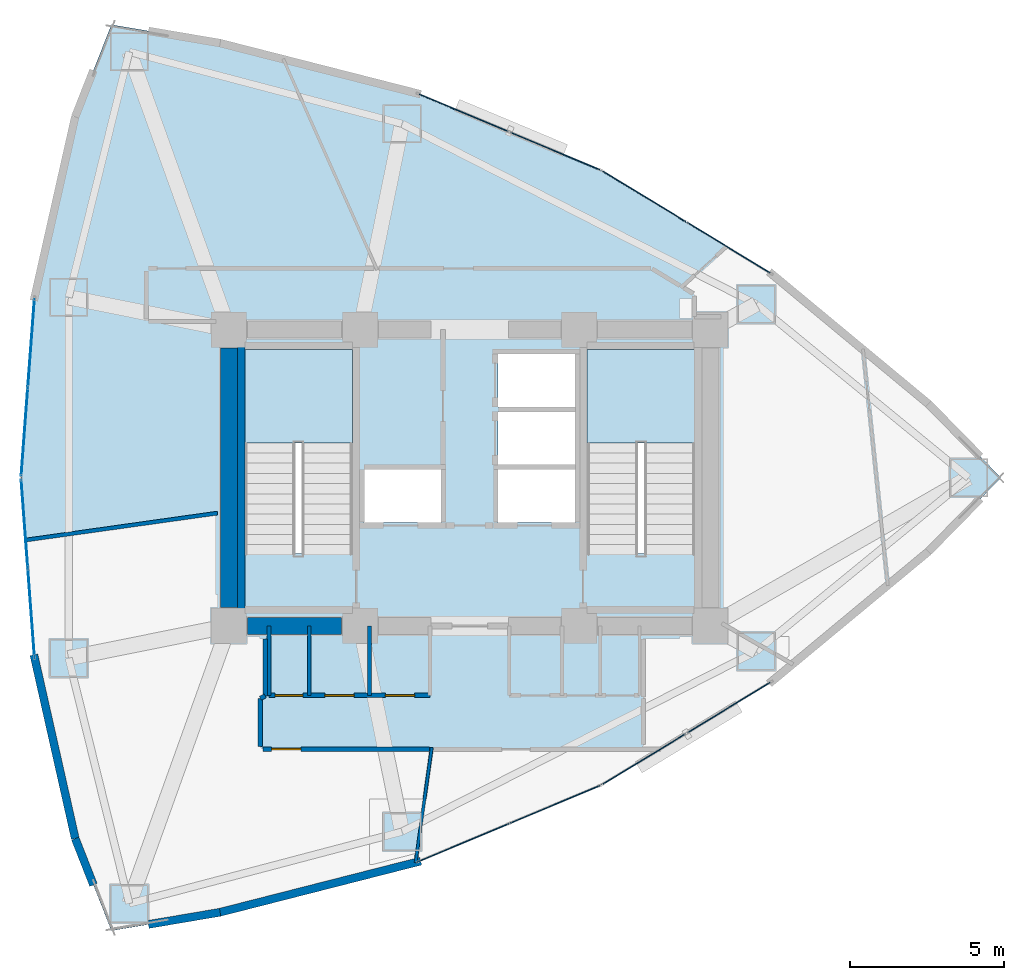
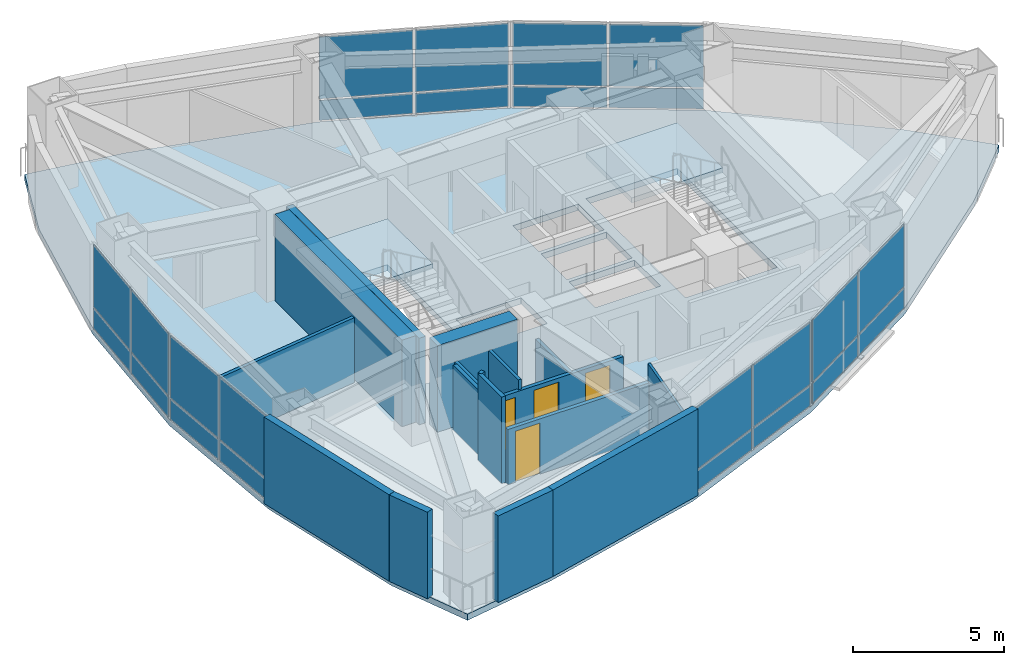
# One storey, part 13 of 17: 24 plates, 17 walls, 4 doors, 3 slabs, 4 openings, 8 elements without a shape of their own.
"""IFC4 building model written with IfcOpenShell, lengths in metres."""

from ifc_helpers import new_model, si_unit, direction, frame, frame_2d, origin, origin_2d, place, context, subcontext, project, spatial, polyline, rectangle, outline, extrude, material, layer, layer_set, type_object, element, fill, aggregate, save


model = new_model("IFC4")

# Units and contexts
model_context = context("Model", 3, precision=1e-05, world=origin(), true_north=direction((0.0, 1.0)))
body_context = subcontext(model_context, "Body", "Model", "MODEL_VIEW")
ifc_project = project(units=[si_unit("LENGTHUNIT", "METRE"), si_unit("AREAUNIT", "SQUARE_METRE"), si_unit("VOLUMEUNIT", "CUBIC_METRE"), si_unit("PLANEANGLEUNIT", "RADIAN"), si_unit("MASSUNIT", "GRAM", prefix="KILO")], contexts=[model_context])

# Site, building, storey
site_placement = place(None, origin())
site = spatial("IfcSite", under=ifc_project, at=site_placement, CompositionType="ELEMENT")
building_placement = place(site_placement, origin())
building = spatial("IfcBuilding", under=site, at=building_placement, Name="Menara Vayukalpa", CompositionType="ELEMENT")
storey_placement = place(building_placement, frame((0.0, 0.0, 133.739990234375)))
storey = spatial("IfcBuildingStorey", under=building, at=storey_placement, Name="L33", CompositionType="ELEMENT", Elevation=133.739990234375)

# Curtain wall, plates
ifc_material_1 = material(Name="Anodised Terracotta Aluminium Alloy 6063-T6", Category="masonry")
ifc_layer_1 = layer(ifc_material_1, 0.14990234375)
ifc_layer_set_1 = layer_set([ifc_layer_1], Name="Anodised Terracotta Aluminium Alloy 6063-T6")
curtain_wall_type = type_object("IfcCurtainWallType", Name="CW-CW3", PredefinedType="USERDEFINED", material=ifc_layer_set_1)
curtain_wall_1_placement = place(storey_placement, origin())
curtain_wall_1 = element("IfcCurtainWall", 1, at=curtain_wall_1_placement, inside=storey, type_object=curtain_wall_type, Name="L33 Mid Rise Terracotta Ribbon Curtain Wall CW3 04", ObjectType="UNITISED", PredefinedType="USERDEFINED")
ifc_material_2 = material(Name="Low-E Double Glazing", Category="glass")
ifc_layer_2 = layer(ifc_material_2, 0.030029296875)
ifc_layer_set_2 = layer_set([ifc_layer_2], Name="Low-E Double Glazing")
plate_type = type_object("IfcPlateType", Name="CWP-CW3", PredefinedType="CURTAIN_PANEL", material=ifc_layer_set_2)
plate_1_placement = place(storey_placement, frame((33.9921875, 29.44873046875, 0.06494140625), z_axis=(0.0, 0.0, 1.0), x_axis=(-0.854663123674, 0.519182959112, 0.0)))
plate_1 = element("IfcPlate", 2, at=plate_1_placement, type_object=plate_type, Name="CW3 panel 1.1", PredefinedType="CURTAIN_PANEL", context=body_context, shape_type="SweptSolid", body=[
    extrude(rectangle(XDim=3.1318359375, YDim=0.030029296875, at=origin_2d()), origin(), (0.0, 0.0, 1.0), 0.802490234375),
])
plate_2_placement = place(storey_placement, frame((33.9921875, 29.44873046875, 0.9326171875), z_axis=(0.0, 0.0, 1.0), x_axis=(-0.854663123674, 0.519182959112, 0.0)))
plate_2 = element("IfcPlate", 3, at=plate_2_placement, type_object=plate_type, Name="CW3 panel 1.2", PredefinedType="CURTAIN_PANEL", context=body_context, shape_type="SweptSolid", body=[
    extrude(rectangle(XDim=3.1318359375, YDim=0.030029296875, at=origin_2d()), origin(), (0.0, 0.0, 1.0), 2.50244140625),
])
plate_3_placement = place(storey_placement, frame((31.259765625, 31.1083984375, 0.06494140625), z_axis=(0.0, 0.0, 1.0), x_axis=(-0.854663123674, 0.519182959112, 0.0)))
plate_3 = element("IfcPlate", 4, at=plate_3_placement, type_object=plate_type, Name="CW3 panel 2.1", PredefinedType="CURTAIN_PANEL", context=body_context, shape_type="SweptSolid", body=[
    extrude(rectangle(XDim=3.1318359375, YDim=0.030029296875, at=origin_2d()), origin(), (0.0, 0.0, 1.0), 0.802490234375),
])
plate_4_placement = place(storey_placement, frame((31.259765625, 31.1083984375, 0.9326171875), z_axis=(0.0, 0.0, 1.0), x_axis=(-0.854663123674, 0.519182959112, 0.0)))
plate_4 = element("IfcPlate", 5, at=plate_4_placement, type_object=plate_type, Name="CW3 panel 2.2", PredefinedType="CURTAIN_PANEL", context=body_context, shape_type="SweptSolid", body=[
    extrude(rectangle(XDim=3.1318359375, YDim=0.030029296875, at=origin_2d()), origin(), (0.0, 0.0, 1.0), 2.50244140625),
])
aggregate(curtain_wall_1, [plate_1, plate_2, plate_3, plate_4])

curtain_wall_2_placement = place(storey_placement, origin())
curtain_wall_2 = element("IfcCurtainWall", 6, at=curtain_wall_2_placement, inside=storey, type_object=curtain_wall_type, Name="L33 Mid Rise Terracotta Ribbon Curtain Wall CW3 05", ObjectType="UNITISED", PredefinedType="USERDEFINED")
plate_5_placement = place(storey_placement, frame((28.361328125, 32.58447265625, 0.06494140625), z_axis=(0.0, 0.0, 1.0), x_axis=(-0.922543300632, 0.38589358437, 0.0)))
plate_5 = element("IfcPlate", 7, at=plate_5_placement, type_object=plate_type, Name="CW3 panel 1.1", PredefinedType="CURTAIN_PANEL", context=body_context, shape_type="SweptSolid", body=[
    extrude(rectangle(XDim=3.1318359375, YDim=0.030029296875, at=origin_2d()), origin(), (0.0, 0.0, 1.0), 0.802490234375),
])
plate_6_placement = place(storey_placement, frame((28.361328125, 32.58447265625, 0.9326171875), z_axis=(0.0, 0.0, 1.0), x_axis=(-0.922543300632, 0.38589358437, 0.0)))
plate_6 = element("IfcPlate", 8, at=plate_6_placement, type_object=plate_type, Name="CW3 panel 1.2", PredefinedType="CURTAIN_PANEL", context=body_context, shape_type="SweptSolid", body=[
    extrude(rectangle(XDim=3.1318359375, YDim=0.030029296875, at=origin_2d()), origin(), (0.0, 0.0, 1.0), 2.50244140625),
])
plate_7_placement = place(storey_placement, frame((25.412109375, 33.818115234375, 0.06494140625), z_axis=(0.0, 0.0, 1.0), x_axis=(-0.922543300632, 0.38589358437, 0.0)))
plate_7 = element("IfcPlate", 9, at=plate_7_placement, type_object=plate_type, Name="CW3 panel 2.1", PredefinedType="CURTAIN_PANEL", context=body_context, shape_type="SweptSolid", body=[
    extrude(rectangle(XDim=3.1318359375, YDim=0.030029296875, at=origin_2d()), origin(), (0.0, 0.0, 1.0), 0.802490234375),
])
plate_8_placement = place(storey_placement, frame((25.412109375, 33.818115234375, 0.9326171875), z_axis=(0.0, 0.0, 1.0), x_axis=(-0.922543300632, 0.38589358437, 0.0)))
plate_8 = element("IfcPlate", 10, at=plate_8_placement, type_object=plate_type, Name="CW3 panel 2.2", PredefinedType="CURTAIN_PANEL", context=body_context, shape_type="SweptSolid", body=[
    extrude(rectangle(XDim=3.1318359375, YDim=0.030029296875, at=origin_2d()), origin(), (0.0, 0.0, 1.0), 2.50244140625),
])
aggregate(curtain_wall_2, [plate_5, plate_6, plate_7, plate_8])

curtain_wall_3_placement = place(storey_placement, origin())
curtain_wall_3 = element("IfcCurtainWall", 11, at=curtain_wall_3_placement, inside=storey, type_object=curtain_wall_type, Name="L33 Mid Rise Terracotta Ribbon Curtain Wall CW3 10", ObjectType="UNITISED", PredefinedType="USERDEFINED")
plate_9_placement = place(storey_placement, frame((11.395751953125, 26.3681640625, 0.06494140625), z_axis=(0.0, 0.0, 1.0), x_axis=(-0.07478528334, -0.997199659745, 0.0)))
plate_9 = element("IfcPlate", 12, at=plate_9_placement, type_object=plate_type, Name="CW3 panel 1.1", PredefinedType="CURTAIN_PANEL", context=body_context, shape_type="SweptSolid", body=[
    extrude(rectangle(XDim=2.83349609375, YDim=0.030029296875, at=origin_2d()), origin(), (0.0, 0.0, 1.0), 0.802490234375),
])
plate_10_placement = place(storey_placement, frame((11.395751953125, 26.3681640625, 0.9326171875), z_axis=(0.0, 0.0, 1.0), x_axis=(-0.07478528334, -0.997199659745, 0.0)))
plate_10 = element("IfcPlate", 13, at=plate_10_placement, type_object=plate_type, Name="CW3 panel 1.2", PredefinedType="CURTAIN_PANEL", context=body_context, shape_type="SweptSolid", body=[
    extrude(rectangle(XDim=2.83349609375, YDim=0.030029296875, at=origin_2d()), origin(), (0.0, 0.0, 1.0), 2.50244140625),
])
plate_11_placement = place(storey_placement, frame((11.178955078125, 23.4775390625, 0.06494140625), z_axis=(0.0, 0.0, 1.0), x_axis=(-0.07478528334, -0.997199659745, 0.0)))
plate_11 = element("IfcPlate", 14, at=plate_11_placement, type_object=plate_type, Name="CW3 panel 2.1", PredefinedType="CURTAIN_PANEL", context=body_context, shape_type="SweptSolid", body=[
    extrude(rectangle(XDim=2.83349609375, YDim=0.030029296875, at=origin_2d()), origin(), (0.0, 0.0, 1.0), 0.802490234375),
])
plate_12_placement = place(storey_placement, frame((11.178955078125, 23.4775390625, 0.9326171875), z_axis=(0.0, 0.0, 1.0), x_axis=(-0.07478528334, -0.997199659745, 0.0)))
plate_12 = element("IfcPlate", 15, at=plate_12_placement, type_object=plate_type, Name="CW3 panel 2.2", PredefinedType="CURTAIN_PANEL", context=body_context, shape_type="SweptSolid", body=[
    extrude(rectangle(XDim=2.83349609375, YDim=0.030029296875, at=origin_2d()), origin(), (0.0, 0.0, 1.0), 2.50244140625),
])
aggregate(curtain_wall_3, [plate_9, plate_10, plate_11, plate_12])

curtain_wall_4_placement = place(storey_placement, origin())
curtain_wall_4 = element("IfcCurtainWall", 16, at=curtain_wall_4_placement, inside=storey, type_object=curtain_wall_type, Name="L33 Mid Rise Terracotta Ribbon Curtain Wall CW3 11", ObjectType="UNITISED", PredefinedType="USERDEFINED")
plate_13_placement = place(storey_placement, frame((11.178955078125, 20.5224609375, 0.06494140625), z_axis=(0.0, 0.0, 1.0), x_axis=(0.07478528334, -0.997199659745, 0.0)))
plate_13 = element("IfcPlate", 17, at=plate_13_placement, type_object=plate_type, Name="CW3 panel 1.1", PredefinedType="CURTAIN_PANEL", context=body_context, shape_type="SweptSolid", body=[
    extrude(rectangle(XDim=2.83349609375, YDim=0.030029296875, at=origin_2d()), origin(), (0.0, 0.0, 1.0), 0.802490234375),
])
plate_14_placement = place(storey_placement, frame((11.178955078125, 20.5224609375, 0.9326171875), z_axis=(0.0, 0.0, 1.0), x_axis=(0.07478528334, -0.997199659745, 0.0)))
plate_14 = element("IfcPlate", 18, at=plate_14_placement, type_object=plate_type, Name="CW3 panel 1.2", PredefinedType="CURTAIN_PANEL", context=body_context, shape_type="SweptSolid", body=[
    extrude(rectangle(XDim=2.83349609375, YDim=0.030029296875, at=origin_2d()), origin(), (0.0, 0.0, 1.0), 2.50244140625),
])
plate_15_placement = place(storey_placement, frame((11.395751953125, 17.6318359375, 0.06494140625), z_axis=(0.0, 0.0, 1.0), x_axis=(0.07478528334, -0.997199659745, 0.0)))
plate_15 = element("IfcPlate", 19, at=plate_15_placement, type_object=plate_type, Name="CW3 panel 2.1", PredefinedType="CURTAIN_PANEL", context=body_context, shape_type="SweptSolid", body=[
    extrude(rectangle(XDim=2.83349609375, YDim=0.030029296875, at=origin_2d()), origin(), (0.0, 0.0, 1.0), 0.802490234375),
])
plate_16_placement = place(storey_placement, frame((11.395751953125, 17.6318359375, 0.9326171875), z_axis=(0.0, 0.0, 1.0), x_axis=(0.07478528334, -0.997199659745, 0.0)))
plate_16 = element("IfcPlate", 20, at=plate_16_placement, type_object=plate_type, Name="CW3 panel 2.2", PredefinedType="CURTAIN_PANEL", context=body_context, shape_type="SweptSolid", body=[
    extrude(rectangle(XDim=2.83349609375, YDim=0.030029296875, at=origin_2d()), origin(), (0.0, 0.0, 1.0), 2.50244140625),
])
aggregate(curtain_wall_4, [plate_13, plate_14, plate_15, plate_16])

curtain_wall_5_placement = place(storey_placement, origin())
curtain_wall_5 = element("IfcCurtainWall", 21, at=curtain_wall_5_placement, inside=storey, type_object=curtain_wall_type, Name="L33 Mid Rise Terracotta Ribbon Curtain Wall CW3 16", ObjectType="UNITISED", PredefinedType="USERDEFINED")
plate_17_placement = place(storey_placement, frame((25.412109375, 10.181884765625, 0.06494140625), z_axis=(0.0, 0.0, 1.0), x_axis=(0.922543300632, 0.38589358437, 0.0)))
plate_17 = element("IfcPlate", 22, at=plate_17_placement, type_object=plate_type, Name="CW3 panel 1.1", PredefinedType="CURTAIN_PANEL", context=body_context, shape_type="SweptSolid", body=[
    extrude(rectangle(XDim=3.1318359375, YDim=0.030029296875, at=origin_2d()), origin(), (0.0, 0.0, 1.0), 0.802490234375),
])
plate_18_placement = place(storey_placement, frame((25.412109375, 10.181884765625, 0.9326171875), z_axis=(0.0, 0.0, 1.0), x_axis=(0.922543300632, 0.38589358437, 0.0)))
plate_18 = element("IfcPlate", 23, at=plate_18_placement, type_object=plate_type, Name="CW3 panel 1.2", PredefinedType="CURTAIN_PANEL", context=body_context, shape_type="SweptSolid", body=[
    extrude(rectangle(XDim=3.1318359375, YDim=0.030029296875, at=origin_2d()), origin(), (0.0, 0.0, 1.0), 2.50244140625),
])
plate_19_placement = place(storey_placement, frame((28.361328125, 11.41552734375, 0.06494140625), z_axis=(0.0, 0.0, 1.0), x_axis=(0.922543300632, 0.38589358437, 0.0)))
plate_19 = element("IfcPlate", 24, at=plate_19_placement, type_object=plate_type, Name="CW3 panel 2.1", PredefinedType="CURTAIN_PANEL", context=body_context, shape_type="SweptSolid", body=[
    extrude(rectangle(XDim=3.1318359375, YDim=0.030029296875, at=origin_2d()), origin(), (0.0, 0.0, 1.0), 0.802490234375),
])
plate_20_placement = place(storey_placement, frame((28.361328125, 11.41552734375, 0.9326171875), z_axis=(0.0, 0.0, 1.0), x_axis=(0.922543300632, 0.38589358437, 0.0)))
plate_20 = element("IfcPlate", 25, at=plate_20_placement, type_object=plate_type, Name="CW3 panel 2.2", PredefinedType="CURTAIN_PANEL", context=body_context, shape_type="SweptSolid", body=[
    extrude(rectangle(XDim=3.1318359375, YDim=0.030029296875, at=origin_2d()), origin(), (0.0, 0.0, 1.0), 2.50244140625),
])
aggregate(curtain_wall_5, [plate_17, plate_18, plate_19, plate_20])

curtain_wall_6_placement = place(storey_placement, origin())
curtain_wall_6 = element("IfcCurtainWall", 26, at=curtain_wall_6_placement, inside=storey, type_object=curtain_wall_type, Name="L33 Mid Rise Terracotta Ribbon Curtain Wall CW3 17", ObjectType="UNITISED", PredefinedType="USERDEFINED")
plate_21_placement = place(storey_placement, frame((31.259765625, 12.8916015625, 0.06494140625), z_axis=(0.0, 0.0, 1.0), x_axis=(0.854663123674, 0.519182959112, 0.0)))
plate_21 = element("IfcPlate", 27, at=plate_21_placement, type_object=plate_type, Name="CW3 panel 1.1", PredefinedType="CURTAIN_PANEL", context=body_context, shape_type="SweptSolid", body=[
    extrude(rectangle(XDim=3.1318359375, YDim=0.030029296875, at=origin_2d()), origin(), (0.0, 0.0, 1.0), 0.802490234375),
])
plate_22_placement = place(storey_placement, frame((31.259765625, 12.8916015625, 0.9326171875), z_axis=(0.0, 0.0, 1.0), x_axis=(0.854663123674, 0.519182959112, 0.0)))
plate_22 = element("IfcPlate", 28, at=plate_22_placement, type_object=plate_type, Name="CW3 panel 1.2", PredefinedType="CURTAIN_PANEL", context=body_context, shape_type="SweptSolid", body=[
    extrude(rectangle(XDim=3.1318359375, YDim=0.030029296875, at=origin_2d()), origin(), (0.0, 0.0, 1.0), 2.50244140625),
])
plate_23_placement = place(storey_placement, frame((33.9921875, 14.55126953125, 0.06494140625), z_axis=(0.0, 0.0, 1.0), x_axis=(0.854663123674, 0.519182959112, 0.0)))
plate_23 = element("IfcPlate", 29, at=plate_23_placement, type_object=plate_type, Name="CW3 panel 2.1", PredefinedType="CURTAIN_PANEL", context=body_context, shape_type="SweptSolid", body=[
    extrude(rectangle(XDim=3.1318359375, YDim=0.030029296875, at=origin_2d()), origin(), (0.0, 0.0, 1.0), 0.802490234375),
])
plate_24_placement = place(storey_placement, frame((33.9921875, 14.55126953125, 0.9326171875), z_axis=(0.0, 0.0, 1.0), x_axis=(0.854663123674, 0.519182959112, 0.0)))
plate_24 = element("IfcPlate", 30, at=plate_24_placement, type_object=plate_type, Name="CW3 panel 2.2", PredefinedType="CURTAIN_PANEL", context=body_context, shape_type="SweptSolid", body=[
    extrude(rectangle(XDim=3.1318359375, YDim=0.030029296875, at=origin_2d()), origin(), (0.0, 0.0, 1.0), 2.50244140625),
])
aggregate(curtain_wall_6, [plate_21, plate_22, plate_23, plate_24])

# Slab
ifc_material_3 = material(Name="Concrete C40/50", Category="concrete")
ifc_layer_3 = layer(ifc_material_3, 0.25)
ifc_layer_set_3 = layer_set([ifc_layer_3], Name="Concrete C40/50")
slab_type_1 = type_object("IfcSlabType", Name="SLB-FL250", PredefinedType="FLOOR", material=ifc_layer_set_3)
slab_1_placement = place(storey_placement, frame((0.0, 0.0, -0.25)))
element("IfcSlab", 31, at=slab_1_placement, inside=storey, type_object=slab_type_1, Name="L33 Structural Floor Slab", PredefinedType="FLOOR", context=body_context, shape_type="SweptSolid", body=[
    extrude(outline(polyline([(40.4677734375, 19.6123046875), (42.81201171875, 22.0), (40.4677734375, 24.3876953125), (35.385986328125, 28.601806640625), (29.865966796875, 31.955078125), (23.907470703125, 34.447509765625), (17.510498046875, 36.0791015625), (13.993896484375, 36.676025390625), (12.822021484375, 33.69140625), (11.506591796875, 27.845703125), (11.068115234375, 22.0), (11.506591796875, 16.154296875), (12.822021484375, 10.30859375), (13.993896484375, 7.323974609375), (17.510498046875, 7.9208984375), (23.907470703125, 9.552490234375), (29.865966796875, 12.044921875), (35.385986328125, 15.398193359375), (40.4677734375, 19.6123046875)]), holes=[polyline([(21.800048828125, 19.550048828125), (21.800048828125, 26.14990234375), (18.300048828125, 26.14990234375), (18.300048828125, 19.550048828125), (21.800048828125, 19.550048828125)]), polyline([(32.89990234375, 19.550048828125), (32.89990234375, 26.14990234375), (29.39990234375, 26.14990234375), (29.39990234375, 19.550048828125), (32.89990234375, 19.550048828125)]), polyline([(22.179931640625, 20.550048828125), (24.679931640625, 20.550048828125), (24.679931640625, 22.27001953125), (22.179931640625, 22.27001953125), (22.179931640625, 20.550048828125)]), polyline([(26.52001953125, 20.550048828125), (29.02001953125, 20.550048828125), (29.02001953125, 22.27001953125), (26.52001953125, 22.27001953125), (26.52001953125, 20.550048828125)]), polyline([(26.52001953125, 24.2900390625), (29.02001953125, 24.2900390625), (29.02001953125, 26.010009765625), (26.52001953125, 26.010009765625), (26.52001953125, 24.2900390625)]), polyline([(26.52001953125, 22.419921875), (29.02001953125, 22.419921875), (29.02001953125, 24.139892578125), (26.52001953125, 24.139892578125), (26.52001953125, 22.419921875)])]), origin(), (0.0, 0.0, 1.0), 0.25),
])

# Stair, slab
ifc_material_4 = material(Name="Precast Concrete C40/50", Category="concrete")
stair_type = type_object("IfcStairType", Name="STR-T04", PredefinedType="DOUBLE_RETURN_STAIR", material=ifc_material_4)
stair_1_placement = place(storey_placement, origin())
stair_1 = element("IfcStair", 32, at=stair_1_placement, inside=storey, type_object=stair_type, Name="L33 Core Exit Stair ST-1", PredefinedType="DOUBLE_RETURN_STAIR")
ifc_material_5 = material(Name="Precast Concrete C40/50", Category="concrete")
ifc_layer_4 = layer(ifc_material_5, 0.199951171875)
ifc_layer_set_4 = layer_set([ifc_layer_4], Name="Precast Concrete C40/50")
slab_type_2 = type_object("IfcSlabType", Name="SLB-LND200", PredefinedType="LANDING", material=ifc_layer_set_4)
slab_2_placement = place(storey_placement, frame((0.0, 0.0, 1.659912109375)))
slab_2 = element("IfcSlab", 33, at=slab_2_placement, type_object=slab_type_2, Name="ST-1 landing 1", PredefinedType="LANDING", context=body_context, shape_type="SweptSolid", body=[
    extrude(outline(polyline([(21.800048828125, 23.1298828125), (21.800048828125, 26.14990234375), (18.300048828125, 26.14990234375), (18.300048828125, 23.1298828125), (21.800048828125, 23.1298828125)])), origin(), (0.0, 0.0, 1.0), 0.2001953125),
])
aggregate(stair_1, [slab_2])

stair_2_placement = place(storey_placement, origin())
stair_2 = element("IfcStair", 34, at=stair_2_placement, inside=storey, type_object=stair_type, Name="L33 Core Exit Stair ST-2", PredefinedType="DOUBLE_RETURN_STAIR")
slab_3_placement = place(storey_placement, frame((0.0, 0.0, 1.659912109375)))
slab_3 = element("IfcSlab", 35, at=slab_3_placement, type_object=slab_type_2, Name="ST-2 landing 1", PredefinedType="LANDING", context=body_context, shape_type="SweptSolid", body=[
    extrude(outline(polyline([(32.89990234375, 23.1298828125), (32.89990234375, 26.14990234375), (29.39990234375, 26.14990234375), (29.39990234375, 23.1298828125), (32.89990234375, 23.1298828125)])), origin(), (0.0, 0.0, 1.0), 0.2001953125),
])
aggregate(stair_2, [slab_3])

# Walls
ifc_material_6 = material(Name="Concrete C60/75", Category="concrete")
ifc_layer_5 = layer(ifc_material_6, 0.550048828125)
ifc_layer_set_5 = layer_set([ifc_layer_5], Name="Concrete C60/75")
wall_type_1 = type_object("IfcWallType", Name="WAL-CW550", PredefinedType="SHEAR", material=ifc_layer_set_5)
wall_1_placement = place(storey_placement, frame((18.39501953125, 17.199951171875, 0.0), z_axis=(0.0, 0.0, 1.0), x_axis=(1.0, 0.0, 0.0)))
element("IfcWall", 36, at=wall_1_placement, inside=storey, type_object=wall_type_1, Name="L33 Buttressed Core Shear Wall CWS1", PredefinedType="SHEAR", context=body_context, shape_type="SweptSolid", body=[
    extrude(rectangle(XDim=3.06005859375, YDim=0.550048828125, at=frame_2d((1.530029296875, 0.0))), origin(), (0.0, 0.0, 1.0), 3.5),
])
wall_2_placement = place(storey_placement, frame((17.800048828125, 17.794921875, 0.0), z_axis=(0.0, 0.0, 1.0), x_axis=(0.0, 1.0, 0.0)))
element("IfcWall", 37, at=wall_2_placement, inside=storey, type_object=wall_type_1, Name="L33 Buttressed Core Shear Wall CWW1", PredefinedType="SHEAR", context=body_context, shape_type="SweptSolid", body=[
    extrude(rectangle(XDim=8.41015625, YDim=0.550048828125, at=frame_2d((4.205078125, 0.0))), origin(), (0.0, 0.0, 1.0), 3.5),
])
ifc_material_7 = material(Name="Insulated Precast Concrete C40/50", Category="concrete")
ifc_layer_6 = layer(ifc_material_7, 0.260009765625)
ifc_layer_set_6 = layer_set([ifc_layer_6], Name="Insulated Precast Concrete C40/50")
wall_type_2 = type_object("IfcWallType", Name="WAL-EXT260", PredefinedType="PARTITIONING", material=ifc_layer_set_6)
wall_3_placement = place(storey_placement, frame((12.822021484375, 10.30859375, 0.0), z_axis=(0.0, 0.0, 1.0), x_axis=(-0.219535044336, 0.975604614743, 0.0)))
element("IfcWall", 38, at=wall_3_placement, inside=storey, type_object=wall_type_2, Name="L33 Perimeter Terracotta Pier Wall 12", PredefinedType="PARTITIONING", context=body_context, shape_type="SweptSolid", body=[
    extrude(rectangle(XDim=6.10205078125, YDim=0.260009765625, at=frame_2d((3.051025390625, 0.0))), origin(), (0.0, 0.0, 1.0), 3.5),
])
wall_4_placement = place(storey_placement, frame((13.411865234375, 8.806396484375, 0.0), z_axis=(0.0, 0.0, 1.0), x_axis=(-0.365488551504, 0.930815835018, 0.0)))
element("IfcWall", 39, at=wall_4_placement, inside=storey, type_object=wall_type_2, Name="L33 Perimeter Terracotta Pier Wall 13", PredefinedType="PARTITIONING", context=body_context, shape_type="SweptSolid", body=[
    extrude(rectangle(XDim=1.61376953125, YDim=0.260009765625, at=frame_2d((0.806884765625, 0.0))), origin(), (0.0, 0.0, 1.0), 3.5),
])
wall_5_placement = place(storey_placement, frame((17.516357421875, 7.921875, 0.0), z_axis=(0.0, 0.0, 1.0), x_axis=(-0.985905269947, -0.167304508875, 0.0)))
element("IfcWall", 40, at=wall_5_placement, inside=storey, type_object=wall_type_2, Name="L33 Perimeter Terracotta Pier Wall 14", PredefinedType="PARTITIONING", context=body_context, shape_type="SweptSolid", body=[
    extrude(rectangle(XDim=2.356689453125, YDim=0.260009765625, at=frame_2d((1.17822265625, 0.0))), origin(), (0.0, 0.0, 1.0), 3.5),
])
wall_6_placement = place(storey_placement, frame((24.013916015625, 9.57958984375, 0.0), z_axis=(0.0, 0.0, 1.0), x_axis=(-0.968981437296, -0.247133514876, 0.0)))
element("IfcWall", 41, at=wall_6_placement, inside=storey, type_object=wall_type_2, Name="L33 Perimeter Terracotta Pier Wall 15", PredefinedType="PARTITIONING", context=body_context, shape_type="SweptSolid", body=[
    extrude(rectangle(XDim=6.717529296875, YDim=0.260009765625, at=frame_2d((3.35888671875, 0.0))), origin(), (0.0, 0.0, 1.0), 3.5),
])
ifc_material_8 = material(Name="Glazed Demountable Office Partition", Category="glass")
ifc_layer_7 = layer(ifc_material_8, 0.094970703125)
ifc_layer_set_7 = layer_set([ifc_layer_7], Name="Glazed Demountable Office Partition")
wall_type_3 = type_object("IfcWallType", Name="WAL-PT100", PredefinedType="PARTITIONING", material=ifc_layer_set_7)
wall_7_placement = place(storey_placement, frame((24.37158203125, 13.260009765625, 0.0), z_axis=(0.0, 0.0, 1.0), x_axis=(-0.139163547283, -0.990269411376, 0.0)))
element("IfcWall", 42, at=wall_7_placement, inside=storey, type_object=wall_type_3, Name="L33 Interior Partition IW-L33-RDIV04", PredefinedType="PARTITIONING", context=body_context, shape_type="SweptSolid", body=[
    extrude(rectangle(XDim=3.77001953125, YDim=0.094970703125, at=frame_2d((1.885009765625, 0.0))), origin(), (0.0, 0.0, 1.0), 2.929931640625),
])
ifc_material_9 = material(Name="Acoustic Mineral Stud Partition", Category="masonry")
ifc_layer_8 = layer(ifc_material_9, 0.110107421875)
ifc_layer_set_8 = layer_set([ifc_layer_8], Name="Acoustic Mineral Stud Partition")
wall_type_4 = type_object("IfcWallType", Name="WAL-PT110", PredefinedType="PARTITIONING", material=ifc_layer_set_8)
wall_8_placement = place(storey_placement, frame((20.39990234375, 14.949951171875, 0.0), z_axis=(0.0, 0.0, 1.0), x_axis=(0.0, 1.0, 0.0)))
element("IfcWall", 43, at=wall_8_placement, inside=storey, type_object=wall_type_4, Name="L33 Interior Partition IW-L33-SVCD-02", PredefinedType="PARTITIONING", context=body_context, shape_type="SweptSolid", body=[
    extrude(rectangle(XDim=2.25, YDim=0.110107421875, at=frame_2d((1.125, 0.0))), origin(), (0.0, 0.0, 1.0), 2.630126953125),
])
ifc_material_10 = material(Name="Gypsum Drywall Steel Stud Assembly", Category="steel")
ifc_layer_9 = layer(ifc_material_10, 0.125)
ifc_layer_set_9 = layer_set([ifc_layer_9], Name="Gypsum Drywall Steel Stud Assembly")
wall_type_5 = type_object("IfcWallType", Name="WAL-PT125", PredefinedType="PARTITIONING", material=ifc_layer_set_9)
wall_9_placement = place(storey_placement, frame((19.10009765625, 14.949951171875, 0.0), z_axis=(0.0, 0.0, 1.0), x_axis=(0.0, 1.0, 0.0)))
element("IfcWall", 44, at=wall_9_placement, inside=storey, type_object=wall_type_5, Name="L33 Interior Partition IW-L33-SVCD-01", PredefinedType="PARTITIONING", context=body_context, shape_type="SweptSolid", body=[
    extrude(rectangle(XDim=2.25, YDim=0.125, at=frame_2d((1.125, 0.0))), origin(), (0.0, 0.0, 1.0), 2.630126953125),
])
wall_10_placement = place(storey_placement, frame((22.360107421875, 14.949951171875, 0.0), z_axis=(0.0, 0.0, 1.0), x_axis=(0.0, 1.0, 0.0)))
element("IfcWall", 45, at=wall_10_placement, inside=storey, type_object=wall_type_5, Name="L33 Interior Partition IW-L33-SVCD-03", PredefinedType="PARTITIONING", context=body_context, shape_type="SweptSolid", body=[
    extrude(rectangle(XDim=2.25, YDim=0.125, at=frame_2d((1.125, 0.0))), origin(), (0.0, 0.0, 1.0), 2.22998046875),
])
wall_11_placement = place(storey_placement, frame((17.429931640625, 20.851806640625, 0.0), z_axis=(0.0, 0.0, 1.0), x_axis=(-0.990266458389, -0.139184558737, 0.0)))
element("IfcWall", 46, at=wall_11_placement, inside=storey, type_object=wall_type_5, Name="L33 Interior Partition IW-L33-RDIV03", PredefinedType="PARTITIONING", context=body_context, shape_type="SweptSolid", body=[
    extrude(rectangle(XDim=6.28125, YDim=0.125, at=frame_2d((3.140625, 0.0))), origin(), (0.0, 0.0, 1.0), 2.630126953125),
])

# Wall, openings, doors
ifc_material_11 = material(Name="Gypsum Drywall Acoustic Stud Assembly", Category="masonry")
ifc_layer_10 = layer(ifc_material_11, 0.14501953125)
ifc_layer_set_10 = layer_set([ifc_layer_10], Name="Gypsum Drywall Acoustic Stud Assembly")
wall_type_6 = type_object("IfcWallType", Name="WAL-PT150", PredefinedType="PARTITIONING", material=ifc_layer_set_10)
wall_12_placement = place(storey_placement, frame((19.10009765625, 14.949951171875, 0.0), z_axis=(0.0, 0.0, 1.0), x_axis=(1.0, 0.0, 0.0)))
wall_12 = element("IfcWall", 47, at=wall_12_placement, inside=storey, type_object=wall_type_6, Name="L33 Interior Partition IW-L33-SVCS-W", PredefinedType="PARTITIONING", context=body_context, shape_type="SweptSolid", body=[
    extrude(rectangle(XDim=5.219970703125, YDim=0.14501953125, at=frame_2d((2.60986328125, 0.0))), origin(), (0.0, 0.0, 1.0), 2.22998046875),
])
opening_1_placement = place(wall_12_placement, frame((0.199951171875, 0.0, 0.0)))
opening_1 = element("IfcOpeningElement", 48, at=opening_1_placement, cuts=wall_12, Name="Opening ID7", PredefinedType="OPENING", context=body_context, shape_type="SweptSolid", body=[
    extrude(rectangle(XDim=0.89990234375, YDim=2.02001953125, at=frame_2d((0.449951171875, 1.010009765625))), frame((0.0, 0.08251953125, 0.0), z_axis=(0.0, -1.0, 0.0), x_axis=(1.0, 0.0, 0.0)), (0.0, 0.0, 1.0), 0.1650390625),
])
opening_2_placement = place(wall_12_placement, frame((1.804931640625, 0.0, 0.0)))
opening_2 = element("IfcOpeningElement", 49, at=opening_2_placement, cuts=wall_12, Name="Opening ID5", PredefinedType="OPENING", context=body_context, shape_type="SweptSolid", body=[
    extrude(rectangle(XDim=0.949951171875, YDim=2.06005859375, at=frame_2d((0.47509765625, 1.030029296875))), frame((0.0, 0.08251953125, 0.0), z_axis=(0.0, -1.0, 0.0), x_axis=(1.0, 0.0, 0.0)), (0.0, 0.0, 1.0), 0.1650390625),
])
opening_3_placement = place(wall_12_placement, frame((3.764892578125, 0.0, 0.0)))
opening_3 = element("IfcOpeningElement", 50, at=opening_3_placement, cuts=wall_12, Name="Opening ID5", PredefinedType="OPENING", context=body_context, shape_type="SweptSolid", body=[
    extrude(rectangle(XDim=0.949951171875, YDim=2.06005859375, at=frame_2d((0.47509765625, 1.030029296875))), frame((0.0, 0.08251953125, 0.0), z_axis=(0.0, -1.0, 0.0), x_axis=(1.0, 0.0, 0.0)), (0.0, 0.0, 1.0), 0.1650390625),
])
ifc_material_12 = material(Name="Acoustic Hardwood Veneer Timber Door", Category="wood")
door_type_1 = type_object("IfcDoorType", Name="DR-INT95", OperationType="NOTDEFINED", PredefinedType="DOOR", material=ifc_material_12)
door_1_placement = place(opening_2_placement, origin())
door_1 = element("IfcDoor", 51, at=door_1_placement, inside=storey, type_object=door_type_1, Name="L33 Interior Door DR-L33-AWC", OperationType="SINGLE_SWING_RIGHT", OverallHeight=2.06005859375, OverallWidth=0.949951171875, PredefinedType="DOOR", context=body_context, shape_type="SweptSolid", body=[
    extrude(rectangle(XDim=0.949951171875, YDim=2.06005859375, at=frame_2d((0.47509765625, 1.030029296875))), frame((0.0, 0.02490234375, 0.0), z_axis=(0.0, -1.0, 0.0), x_axis=(1.0, 0.0, 0.0)), (0.0, 0.0, 1.0), 0.050048828125),
])
fill(opening_2, door_1)
door_2_placement = place(opening_3_placement, origin())
door_2 = element("IfcDoor", 52, at=door_2_placement, inside=storey, type_object=door_type_1, Name="L33 Interior Door DR-L33-SWC", OperationType="SINGLE_SWING_LEFT", OverallHeight=2.06005859375, OverallWidth=0.949951171875, PredefinedType="DOOR", context=body_context, shape_type="SweptSolid", body=[
    extrude(rectangle(XDim=0.949951171875, YDim=2.06005859375, at=frame_2d((0.47509765625, 1.030029296875))), frame((0.0, 0.02490234375, 0.0), z_axis=(0.0, -1.0, 0.0), x_axis=(1.0, 0.0, 0.0)), (0.0, 0.0, 1.0), 0.050048828125),
])
fill(opening_3, door_2)
ifc_material_13 = material(Name="Powder-Coated Steel Riser Access Door", Category="steel")
door_type_2 = type_object("IfcDoorType", Name="DR-RISER", OperationType="NOTDEFINED", PredefinedType="DOOR", material=ifc_material_13)
door_3_placement = place(opening_1_placement, origin())
door_3 = element("IfcDoor", 53, at=door_3_placement, inside=storey, type_object=door_type_2, Name="L33 Interior Door DR-L33-ELR", OperationType="SINGLE_SWING_LEFT", OverallHeight=2.02001953125, OverallWidth=0.89990234375, PredefinedType="DOOR", context=body_context, shape_type="SweptSolid", body=[
    extrude(rectangle(XDim=0.89990234375, YDim=2.02001953125, at=frame_2d((0.449951171875, 1.010009765625))), frame((0.0, 0.02490234375, 0.0), z_axis=(0.0, -1.0, 0.0), x_axis=(1.0, 0.0, 0.0)), (0.0, 0.0, 1.0), 0.050048828125),
])
fill(opening_1, door_3)

# Walls
wall_13_placement = place(storey_placement, frame((18.97998046875, 16.780029296875, 0.0), z_axis=(0.0, 0.0, 1.0), x_axis=(0.0, -1.0, 0.0)))
element("IfcWall", 54, at=wall_13_placement, inside=storey, type_object=wall_type_6, Name="L33 Interior Partition IW-L33-CRM01-1", PredefinedType="PARTITIONING", context=body_context, shape_type="SweptSolid", body=[
    extrude(rectangle(XDim=1.85009765625, YDim=0.14501953125, at=frame_2d((0.925048828125, 0.0))), origin(), (0.0, 0.0, 1.0), 2.630126953125),
])
wall_14_placement = place(storey_placement, frame((18.820068359375, 14.85009765625, 0.0), z_axis=(0.0, 0.0, 1.0), x_axis=(0.0, -1.0, 0.0)))
element("IfcWall", 55, at=wall_14_placement, inside=storey, type_object=wall_type_6, Name="L33 Interior Partition IW-L33-CRM01-2", PredefinedType="PARTITIONING", context=body_context, shape_type="SweptSolid", body=[
    extrude(rectangle(XDim=1.56005859375, YDim=0.14501953125, at=frame_2d((0.780029296875, 0.0))), origin(), (0.0, 0.0, 1.0), 3.5),
])

# Wall, opening, door
wall_15_placement = place(storey_placement, frame((18.89990234375, 13.2099609375, 0.0), z_axis=(0.0, 0.0, 1.0), x_axis=(1.0, 0.0, 0.0)))
wall_15 = element("IfcWall", 56, at=wall_15_placement, inside=storey, type_object=wall_type_6, Name="L33 Interior Partition IW-L33-CRM01-3", PredefinedType="PARTITIONING", context=body_context, shape_type="SweptSolid", body=[
    extrude(rectangle(XDim=5.39404296875, YDim=0.14501953125, at=frame_2d((2.697021484375, 0.0))), origin(), (0.0, 0.0, 1.0), 2.22998046875),
])
opening_4_placement = place(wall_15_placement, frame((0.280029296875, 0.0, 0.0)))
opening_4 = element("IfcOpeningElement", 57, at=opening_4_placement, cuts=wall_15, Name="Opening ID5", PredefinedType="OPENING", context=body_context, shape_type="SweptSolid", body=[
    extrude(rectangle(XDim=0.949951171875, YDim=2.06005859375, at=frame_2d((0.47509765625, 1.030029296875))), frame((0.0, 0.08251953125, 0.0), z_axis=(0.0, -1.0, 0.0), x_axis=(1.0, 0.0, 0.0)), (0.0, 0.0, 1.0), 0.1650390625),
])
door_4_placement = place(opening_4_placement, origin())
door_4 = element("IfcDoor", 58, at=door_4_placement, inside=storey, type_object=door_type_1, Name="L33 Interior Door DR-L33-RM01", OperationType="SINGLE_SWING_LEFT", OverallHeight=2.06005859375, OverallWidth=0.949951171875, PredefinedType="DOOR", context=body_context, shape_type="SweptSolid", body=[
    extrude(rectangle(XDim=0.949951171875, YDim=2.06005859375, at=frame_2d((0.47509765625, 1.030029296875))), frame((0.0, 0.02490234375, 0.0), z_axis=(0.0, -1.0, 0.0), x_axis=(1.0, 0.0, 0.0)), (0.0, 0.0, 1.0), 0.050048828125),
])
fill(opening_4, door_4)

# Walls
wall_16_placement = place(storey_placement, frame((18.820068359375, 14.85009765625, 0.0), z_axis=(0.0, 0.0, 1.0), x_axis=(0.89470021502, 0.446667130247, 0.0)))
element("IfcWall", 59, at=wall_16_placement, inside=storey, type_object=wall_type_6, Name="L33 Interior Partition IW-L33-CRM01-2-R0", PredefinedType="PARTITIONING", context=body_context, shape_type="SweptSolid", body=[
    extrude(rectangle(XDim=0.1787109375, YDim=0.14501953125, at=frame_2d((0.08935546875, 0.0))), origin(), (0.0, 0.0, 1.0), 3.5),
])
ifc_material_14 = material(Name="Concrete C50/60", Category="concrete")
ifc_layer_11 = layer(ifc_material_14, 0.25)
ifc_layer_set_11 = layer_set([ifc_layer_11], Name="Concrete C50/60")
wall_type_7 = type_object("IfcWallType", Name="WAL-SW250", PredefinedType="SHEAR", material=ifc_layer_set_11)
wall_17_placement = place(storey_placement, frame((18.2041015625, 17.60009765625, 0.0), z_axis=(0.0, 0.0, 1.0), x_axis=(0.0, 1.0, 0.0)))
element("IfcWall", 60, at=wall_17_placement, inside=storey, type_object=wall_type_7, Name="L33 ST1 Structural Stair Shaft Wall W", PredefinedType="SHEAR", context=body_context, shape_type="SweptSolid", body=[
    extrude(rectangle(XDim=8.7998046875, YDim=0.25, at=frame_2d((4.39990234375, 0.0))), origin(), (0.0, 0.0, 1.0), 3.5),
])

save(model, "model.ifc")
